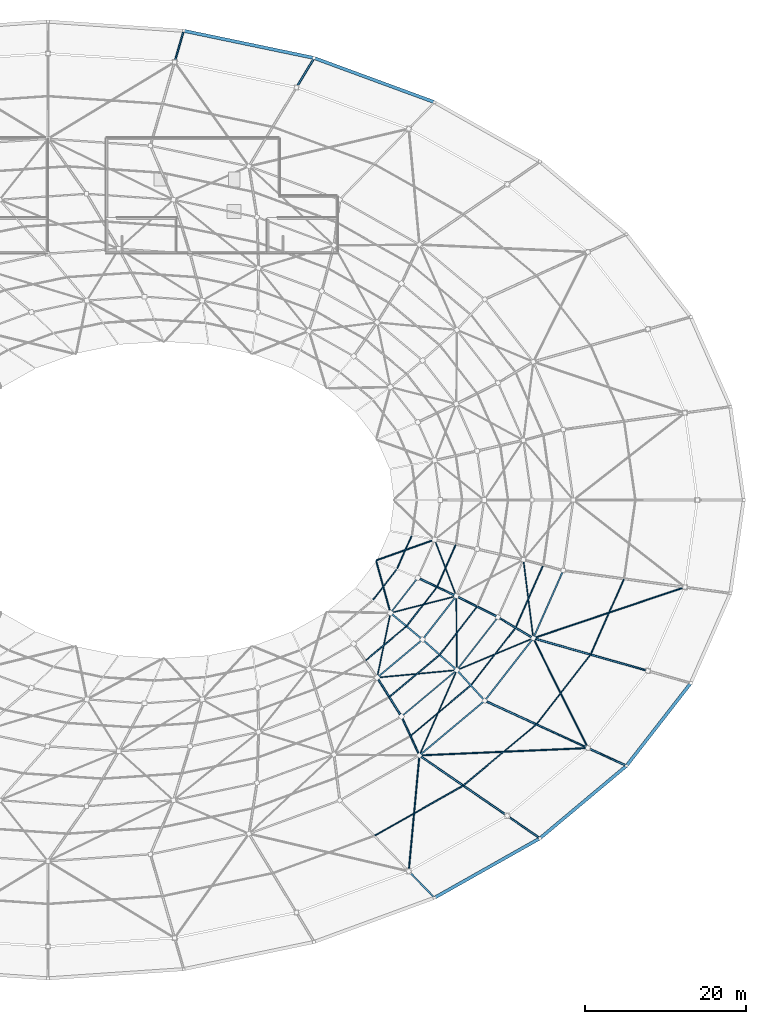
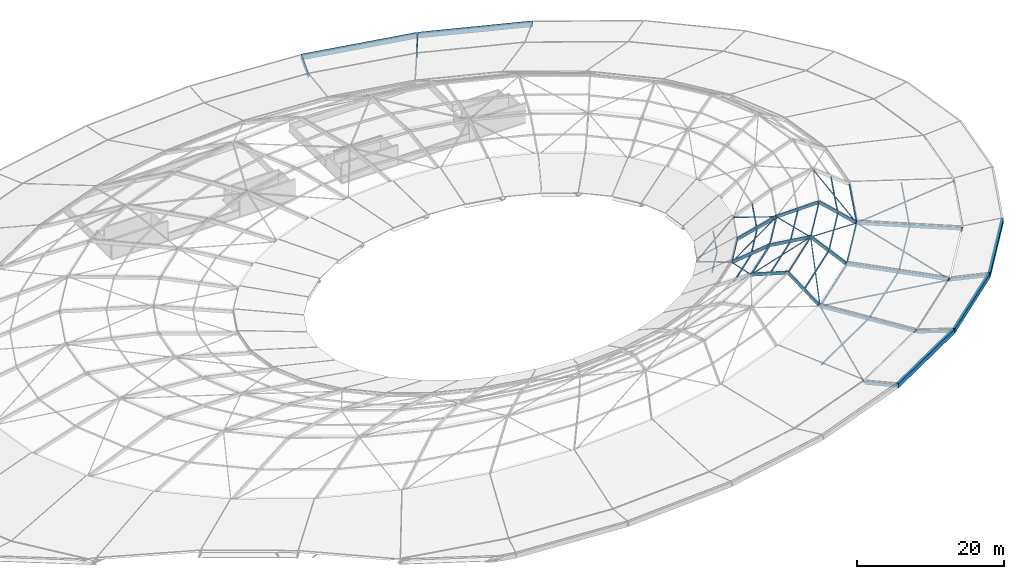
# One storey, part 9 of 30: 52 members, 5 beams.
"""IFC4 building model written with IfcOpenShell, lengths in metres."""

from ifc_helpers import new_model, si_unit, direction, frame, origin, origin_2d, place, context, subcontext, project, spatial, rectangle, hollow_rectangle, hollow_circle, extrude, material, material_profile, profile_set, type_object, element, save


model = new_model("IFC4")

# Units and contexts
model_context = context("Model", 3, precision=1e-05, world=origin(), true_north=direction((0.0, 1.0)))
body_context = subcontext(model_context, "Body", "Model", "MODEL_VIEW")
ifc_project = project(units=[si_unit("LENGTHUNIT", "METRE"), si_unit("AREAUNIT", "SQUARE_METRE"), si_unit("VOLUMEUNIT", "CUBIC_METRE"), si_unit("PLANEANGLEUNIT", "RADIAN"), si_unit("MASSUNIT", "GRAM", prefix="KILO")], contexts=[model_context])

# Site, building, storey
site_placement = place(None, origin())
site = spatial("IfcSite", under=ifc_project, at=site_placement, CompositionType="ELEMENT")
building_placement = place(site_placement, origin())
building = spatial("IfcBuilding", under=site, at=building_placement, Name="Namkhue Oval Health Centre", CompositionType="ELEMENT")
storey_placement = place(building_placement, frame((0.0, 0.0, 26.39990234375)))
storey = spatial("IfcBuildingStorey", under=building, at=storey_placement, Name="RF", CompositionType="ELEMENT", Elevation=26.39990234375)

# Beams
ifc_material_1 = material(Name="Precast architectural concrete C35/45 (TCVN B40)", Category="concrete")
ifc_material_profile_1 = material_profile(ifc_material_1, rectangle(XDim=0.39990234375, YDim=0.75, at=origin_2d()), Name="RC 400x750")
ifc_profile_set_1 = profile_set([ifc_material_profile_1], Name="Precast architectural concrete C35/45 (TCVN B40)")
beam_type = type_object("IfcBeamType", Name="CONCRETE EDGE BAND 400X750", PredefinedType="SPANDREL", material=ifc_profile_set_1)
beam_1_placement = place(storey_placement, frame((134.36376953125, 108.802978515625, 0.7001953125), z_axis=(-0.938627892991, 0.344931411297, 0.0), x_axis=(-0.344931411297, -0.938627892991, 0.0)))
element("IfcBeam", 1, at=beam_1_placement, inside=storey, type_object=beam_type, Name="Elliptical Roof Concrete Fascia Band 6", PredefinedType="SPANDREL", context=body_context, shape_type="SweptSolid", body=[
    extrude(rectangle(XDim=0.39990234375, YDim=0.75, at=origin_2d()), origin(), (0.0, 0.0, 1.0), 15.833984375),
])
beam_2_placement = place(storey_placement, frame((119.4248046875, 114.28662109375, 0.7001953125), z_axis=(-0.978939474123, 0.204150694352, 0.0), x_axis=(-0.204150694352, -0.978939474123, 0.0)))
element("IfcBeam", 2, at=beam_2_placement, inside=storey, type_object=beam_type, Name="Elliptical Roof Concrete Fascia Band 7", PredefinedType="SPANDREL", context=body_context, shape_type="SweptSolid", body=[
    extrude(rectangle(XDim=0.39990234375, YDim=0.75, at=origin_2d()), origin(), (0.0, 0.0, 1.0), 16.476806640625),
])
beam_3_placement = place(storey_placement, frame((134.43603515625, 10.030517578125, 0.7001953125), z_axis=(0.870942993464, 0.491384067849, 0.0), x_axis=(-0.491384067849, 0.870942993464, 0.0)))
element("IfcBeam", 3, at=beam_3_placement, inside=storey, type_object=beam_type, Name="Elliptical Roof Concrete Fascia Band 28", PredefinedType="SPANDREL", context=body_context, shape_type="SweptSolid", body=[
    extrude(rectangle(XDim=0.39990234375, YDim=0.75, at=origin_2d()), origin(), (0.0, 0.0, 1.0), 14.952880859375),
])
beam_4_placement = place(storey_placement, frame((147.524658203125, 17.423583984375, 0.7001953125), z_axis=(0.766570355171, 0.642160330893, 0.0), x_axis=(-0.642160330893, 0.766570355171, 0.0)))
element("IfcBeam", 4, at=beam_4_placement, inside=storey, type_object=beam_type, Name="Elliptical Roof Concrete Fascia Band 29", PredefinedType="SPANDREL", context=body_context, shape_type="SweptSolid", body=[
    extrude(rectangle(XDim=0.39990234375, YDim=0.75, at=origin_2d()), origin(), (0.0, 0.0, 1.0), 13.936767578125),
])
beam_5_placement = place(storey_placement, frame((158.263427734375, 26.4306640625, 0.7001953125), z_axis=(0.613787636636, 0.789471175606, 0.0), x_axis=(-0.789471175606, 0.613787636636, 0.0)))
element("IfcBeam", 5, at=beam_5_placement, inside=storey, type_object=beam_type, Name="Elliptical Roof Concrete Fascia Band 30", PredefinedType="SPANDREL", context=body_context, shape_type="SweptSolid", body=[
    extrude(rectangle(XDim=0.39990234375, YDim=0.75, at=origin_2d()), origin(), (0.0, 0.0, 1.0), 12.927978515625),
])

# Members
ifc_material_2 = material(Name="Structural steel EN 10025-2 S355JR (TCVN 5575:2024)", Category="steel")
ifc_material_profile_2 = material_profile(ifc_material_2, hollow_circle(Radius=0.084228515625, WallThickness=0.008056640625, at=origin_2d()), Name="CHS 168.3x8")
ifc_profile_set_2 = profile_set([ifc_material_profile_2], Name="Structural steel EN 10025-2 S355JR (TCVN 5575:2024)")
member_type_1 = type_object("IfcMemberType", Name="DIAGONAL BRACE CHS 168", PredefinedType="BRACE", material=ifc_profile_set_2)
member_1_placement = place(storey_placement, frame((132.53759765625, 27.714599609375, 3.78857421875), z_axis=(0.385744825263, 0.878452182924, 0.281997681017), x_axis=(-0.915612226063, 0.402062496989, 0.0)))
element("IfcMember", 6, at=member_1_placement, inside=storey, type_object=member_type_1, Name="Gridshell Diagonal Brace K2-29", PredefinedType="BRACE", context=body_context, shape_type="SweptSolid", body=[
    extrude(hollow_circle(Radius=0.084228515625, WallThickness=0.008056640625, at=origin_2d()), origin(), (0.0, 0.0, 1.0), 11.996826171875),
])
member_2_placement = place(storey_placement, frame((146.64013671875, 42.226806640625, 3.78955078125), z_axis=(-0.876260185773, -0.365520236855, 0.313947516758), x_axis=(0.384984945301, -0.922922852622, 0.0)))
element("IfcMember", 7, at=member_2_placement, inside=storey, type_object=member_type_1, Name="Gridshell Diagonal Brace K2-30", PredefinedType="BRACE", context=body_context, shape_type="SweptSolid", body=[
    extrude(hollow_circle(Radius=0.084228515625, WallThickness=0.008056640625, at=origin_2d()), origin(), (0.0, 0.0, 1.0), 10.76953125),
])
member_3_placement = place(storey_placement, frame((146.6630859375, 42.265869140625, 3.789794921875), z_axis=(-0.118630380465, 0.937515440045, 0.327095754341), x_axis=(-0.992089069562, -0.125535963196, 0.0)))
element("IfcMember", 8, at=member_3_placement, inside=storey, type_object=member_type_1, Name="Gridshell Diagonal Brace K2-31", PredefinedType="BRACE", context=body_context, shape_type="SweptSolid", body=[
    extrude(hollow_circle(Radius=0.084228515625, WallThickness=0.008056640625, at=origin_2d()), origin(), (0.0, 0.0, 1.0), 10.335205078125),
])
member_4_placement = place(storey_placement, frame((137.147705078125, 38.276611328125, 7.173583984375), z_axis=(-0.972118083366, -0.091348529782, -0.215967307941), x_axis=(0.093556405281, -0.995613980934, 0.0)))
element("IfcMember", 9, at=member_4_placement, inside=storey, type_object=member_type_1, Name="Gridshell Diagonal Brace K3-29", PredefinedType="BRACE", context=body_context, shape_type="SweptSolid", body=[
    extrude(hollow_circle(Radius=0.084228515625, WallThickness=0.008056640625, at=origin_2d()), origin(), (0.0, 0.0, 1.0), 10.126708984375),
])
member_5_placement = place(storey_placement, frame((137.1767578125, 38.30859375, 7.173095703125), z_axis=(-0.007386741526, 0.972474925743, -0.232890435291), x_axis=(-0.999971153031, -0.007595597835, 0.0)))
element("IfcMember", 10, at=member_5_placement, inside=storey, type_object=member_type_1, Name="Gridshell Diagonal Brace K3-30", PredefinedType="BRACE", context=body_context, shape_type="SweptSolid", body=[
    extrude(hollow_circle(Radius=0.084228515625, WallThickness=0.008056640625, at=origin_2d()), origin(), (0.0, 0.0, 1.0), 9.386474609375),
])
member_6_placement = place(storey_placement, frame((127.280029296875, 37.3759765625, 4.968505859375), z_axis=(0.186783614219, 0.904579025197, -0.383208387998), x_axis=(-0.979339963562, 0.202220759987, 0.0)))
element("IfcMember", 11, at=member_6_placement, inside=storey, type_object=member_type_1, Name="Gridshell Diagonal Brace K4-29", PredefinedType="BRACE", context=body_context, shape_type="SweptSolid", body=[
    extrude(hollow_circle(Radius=0.084228515625, WallThickness=0.008056640625, at=origin_2d()), origin(), (0.0, 0.0, 1.0), 8.812255859375),
])
member_7_placement = place(storey_placement, frame((137.080078125, 47.458984375, 4.968994140625), z_axis=(-0.89860956211, -0.229852364697, -0.373722818848), x_axis=(0.247808458308, -0.968809046196, 0.0)))
element("IfcMember", 12, at=member_7_placement, inside=storey, type_object=member_type_1, Name="Gridshell Diagonal Brace K4-30", PredefinedType="BRACE", context=body_context, shape_type="SweptSolid", body=[
    extrude(hollow_circle(Radius=0.084228515625, WallThickness=0.008056640625, at=origin_2d()), origin(), (0.0, 0.0, 1.0), 9.037841796875),
])
member_8_placement = place(storey_placement, frame((137.097412109375, 47.491455078125, 4.9677734375), z_axis=(-0.326688669329, 0.850363236448, -0.412500762944), x_axis=(-0.93348313734, -0.35862129371, 0.0)))
element("IfcMember", 13, at=member_8_placement, inside=storey, type_object=member_type_1, Name="Gridshell Diagonal Brace K4-31", PredefinedType="BRACE", context=body_context, shape_type="SweptSolid", body=[
    extrude(hollow_circle(Radius=0.084228515625, WallThickness=0.008056640625, at=origin_2d()), origin(), (0.0, 0.0, 1.0), 8.182373046875),
])
ifc_material_profile_3 = material_profile(ifc_material_2, hollow_circle(Radius=0.109619140625, WallThickness=0.010009765625, at=origin_2d()), Name="CHS 219.1x10")
ifc_profile_set_3 = profile_set([ifc_material_profile_3], Name="Structural steel EN 10025-2 S355JR (TCVN 5575:2024)")
member_type_2 = type_object("IfcMemberType", Name="DIAGONAL BRACE CHS 219", PredefinedType="BRACE", material=ifc_profile_set_3)
member_9_placement = place(storey_placement, frame((131.203857421875, 13.33251953125, 0.287109375), z_axis=(0.08912297815, 0.967785826017, 0.235473331241), x_axis=(-0.995786536094, 0.091701551431, 0.0)))
element("IfcMember", 14, at=member_9_placement, inside=storey, type_object=member_type_2, Name="Gridshell Diagonal Brace K1-28", PredefinedType="BRACE", context=body_context, shape_type="SweptSolid", body=[
    extrude(hollow_circle(Radius=0.109619140625, WallThickness=0.010009765625, at=origin_2d()), origin(), (0.0, 0.0, 1.0), 14.803466796875),
])
member_10_placement = place(storey_placement, frame((153.420166015625, 28.597900390625, 0.284912109375), z_axis=(-0.985387796484, -0.042892577935, 0.164836638216), x_axis=(0.043487447856, -0.999053973456, 0.0)))
element("IfcMember", 15, at=member_10_placement, inside=storey, type_object=member_type_2, Name="Gridshell Diagonal Brace K1-29", PredefinedType="BRACE", context=body_context, shape_type="SweptSolid", body=[
    extrude(hollow_circle(Radius=0.109619140625, WallThickness=0.010009765625, at=origin_2d()), origin(), (0.0, 0.0, 1.0), 21.173828125),
])
member_11_placement = place(storey_placement, frame((153.436767578125, 28.62548828125, 0.286865234375), z_axis=(-0.434016963234, 0.872628440892, 0.223939455594), x_axis=(-0.895368051566, -0.445326904908, 0.0)))
element("IfcMember", 16, at=member_11_placement, inside=storey, type_object=member_type_2, Name="Gridshell Diagonal Brace K1-30", PredefinedType="BRACE", context=body_context, shape_type="SweptSolid", body=[
    extrude(hollow_circle(Radius=0.109619140625, WallThickness=0.010009765625, at=origin_2d()), origin(), (0.0, 0.0, 1.0), 15.5693359375),
])
member_12_placement = place(storey_placement, frame((165.46240234375, 48.57470703125, 0.285400390625), z_axis=(-0.933221764626, -0.314626832227, 0.173513960452), x_axis=(0.319472784, -0.947595451806, 0.0)))
element("IfcMember", 17, at=member_12_placement, inside=storey, type_object=member_type_2, Name="Gridshell Diagonal Brace K1-31", PredefinedType="BRACE", context=body_context, shape_type="SweptSolid", body=[
    extrude(hollow_circle(Radius=0.109619140625, WallThickness=0.010009765625, at=origin_2d()), origin(), (0.0, 0.0, 1.0), 20.11083984375),
])
member_13_placement = place(storey_placement, frame((128.92431640625, 45.40087890625, 1.5673828125), z_axis=(-0.239180202301, 0.871743269985, -0.4276172378), x_axis=(-0.964360555724, -0.264591607129, 0.0)))
element("IfcMember", 18, at=member_13_placement, inside=storey, type_object=member_type_2, Name="Gridshell Diagonal Brace K5-30", PredefinedType="BRACE", context=body_context, shape_type="SweptSolid", body=[
    extrude(hollow_circle(Radius=0.109619140625, WallThickness=0.010009765625, at=origin_2d()), origin(), (0.0, 0.0, 1.0), 7.423828125),
])
member_14_placement = place(storey_placement, frame((134.38818359375, 54.4658203125, 1.568603515625), z_axis=(-0.870686999739, -0.308442525656, -0.383102279885), x_axis=(0.33391852969, -0.942601939065, 0.0)))
element("IfcMember", 19, at=member_14_placement, inside=storey, type_object=member_type_2, Name="Gridshell Diagonal Brace K5-31", PredefinedType="BRACE", context=body_context, shape_type="SweptSolid", body=[
    extrude(hollow_circle(Radius=0.109619140625, WallThickness=0.010009765625, at=origin_2d()), origin(), (0.0, 0.0, 1.0), 8.292724609375),
])
ifc_material_3 = material(Name="Glulam timber GL28h", Category="wood")
ifc_material_profile_4 = material_profile(ifc_material_3, rectangle(XDim=0.199951171875, YDim=0.47998046875, at=origin_2d()), Name="GL28h 200x480")
ifc_profile_set_4 = profile_set([ifc_material_profile_4], Name="Glulam timber GL28h")
member_type_3 = type_object("IfcMemberType", Name="GRIDSHELL ARCH RIB GL28H 200X480", PredefinedType="USERDEFINED", material=ifc_profile_set_4)
member_15_placement = place(storey_placement, frame((143.421142578125, 20.197998046875, 0.300048828125), z_axis=(-0.796604199266, 0.547664271353, 0.25590153496), x_axis=(-0.566528039222, -0.824042462969, 0.0)))
element("IfcMember", 20, at=member_15_placement, inside=storey, type_object=member_type_3, Name="Gridshell Glulam Arch Rib K1-29", ObjectType="ARCH_SEGMENT", PredefinedType="USERDEFINED", context=body_context, shape_type="SweptSolid", body=[
    extrude(rectangle(XDim=0.199951171875, YDim=0.47998046875, at=origin_2d()), origin(), (0.0, 0.0, 1.0), 13.67724609375),
])
member_16_placement = place(storey_placement, frame((132.52587890625, 27.6884765625, 3.800048828125), z_axis=(-0.352584760622, 0.765197115417, 0.538662567045), x_axis=(-0.908222554192, -0.418487505258, 0.0)))
element("IfcMember", 21, at=member_16_placement, inside=storey, type_object=member_type_3, Name="Gridshell Glulam Arch Rib K2-29", ObjectType="ARCH_SEGMENT", PredefinedType="USERDEFINED", context=body_context, shape_type="SweptSolid", body=[
    extrude(rectangle(XDim=0.199951171875, YDim=0.47998046875, at=origin_2d()), origin(), (0.0, 0.0, 1.0), 6.312255859375),
])
member_17_placement = place(storey_placement, frame((130.30029296875, 32.5185546875, 7.2001953125), z_axis=(-0.495255648751, 0.790594885471, -0.360113273079), x_axis=(-0.847451612096, -0.530872644949, 0.0)))
element("IfcMember", 22, at=member_17_placement, inside=storey, type_object=member_type_3, Name="Gridshell Glulam Arch Rib K3-29", ObjectType="ARCH_SEGMENT", PredefinedType="USERDEFINED", context=body_context, shape_type="SweptSolid", body=[
    extrude(rectangle(XDim=0.199951171875, YDim=0.47998046875, at=origin_2d()), origin(), (0.0, 0.0, 1.0), 6.109619140625),
])
member_18_placement = place(storey_placement, frame((153.44970703125, 28.59912109375, 0.300048828125), z_axis=(-0.881933301609, 0.405143099926, 0.240941320855), x_axis=(-0.41744104465, -0.908704008048, 0.0)))
element("IfcMember", 23, at=member_18_placement, inside=storey, type_object=member_type_3, Name="Gridshell Glulam Arch Rib K1-30", ObjectType="ARCH_SEGMENT", PredefinedType="USERDEFINED", context=body_context, shape_type="SweptSolid", body=[
    extrude(rectangle(XDim=0.199951171875, YDim=0.47998046875, at=origin_2d()), origin(), (0.0, 0.0, 1.0), 14.5263671875),
])
member_19_placement = place(storey_placement, frame((140.638427734375, 34.484375, 3.800048828125), z_axis=(-0.561918661707, 0.616097164355, 0.551970743517), x_axis=(-0.738846563421, -0.67387369419, 0.0)))
element("IfcMember", 24, at=member_19_placement, inside=storey, type_object=member_type_3, Name="Gridshell Glulam Arch Rib K2-30", ObjectType="ARCH_SEGMENT", PredefinedType="USERDEFINED", context=body_context, shape_type="SweptSolid", body=[
    extrude(rectangle(XDim=0.199951171875, YDim=0.47998046875, at=origin_2d()), origin(), (0.0, 0.0, 1.0), 6.159912109375),
])
member_20_placement = place(storey_placement, frame((137.177001953125, 38.279541015625, 7.2001953125), z_axis=(-0.696802720013, 0.620515696355, -0.359758585664), x_axis=(-0.665043396106, -0.746804714297, 0.0)))
element("IfcMember", 25, at=member_20_placement, inside=storey, type_object=member_type_3, Name="Gridshell Glulam Arch Rib K3-30", ObjectType="ARCH_SEGMENT", PredefinedType="USERDEFINED", context=body_context, shape_type="SweptSolid", body=[
    extrude(rectangle(XDim=0.199951171875, YDim=0.47998046875, at=origin_2d()), origin(), (0.0, 0.0, 1.0), 6.11572265625),
])
member_21_placement = place(storey_placement, frame((132.91552734375, 42.074462890625, 5.0), z_axis=(-0.643559192771, 0.533091653921, -0.549222044278), x_axis=(-0.637916322082, -0.770105684969, 0.0)))
element("IfcMember", 26, at=member_21_placement, inside=storey, type_object=member_type_3, Name="Gridshell Glulam Arch Rib K4-30", ObjectType="ARCH_SEGMENT", PredefinedType="USERDEFINED", context=body_context, shape_type="SweptSolid", body=[
    extrude(rectangle(XDim=0.199951171875, YDim=0.47998046875, at=origin_2d()), origin(), (0.0, 0.0, 1.0), 6.1904296875),
])
member_22_placement = place(storey_placement, frame((160.901611328125, 38.18408203125, 0.300048828125), z_axis=(-0.935951519575, 0.26652955959, 0.230123329697), x_axis=(-0.273880097908, -0.961763844179, 0.0)))
element("IfcMember", 27, at=member_22_placement, inside=storey, type_object=member_type_3, Name="Gridshell Glulam Arch Rib K1-31", ObjectType="ARCH_SEGMENT", PredefinedType="USERDEFINED", context=body_context, shape_type="SweptSolid", body=[
    extrude(rectangle(XDim=0.199951171875, YDim=0.47998046875, at=origin_2d()), origin(), (0.0, 0.0, 1.0), 15.209228515625),
])
member_23_placement = place(storey_placement, frame((146.66650390625, 42.23779296875, 3.800048828125), z_axis=(-0.714475041443, 0.426438723939, 0.554684982562), x_axis=(-0.512509314458, -0.858681665458, 0.0)))
element("IfcMember", 28, at=member_23_placement, inside=storey, type_object=member_type_3, Name="Gridshell Glulam Arch Rib K2-31", ObjectType="ARCH_SEGMENT", PredefinedType="USERDEFINED", context=body_context, shape_type="SweptSolid", body=[
    extrude(rectangle(XDim=0.199951171875, YDim=0.47998046875, at=origin_2d()), origin(), (0.0, 0.0, 1.0), 6.1298828125),
])
member_24_placement = place(storey_placement, frame((142.286865234375, 44.851806640625, 7.2001953125), z_axis=(-0.83473489844, 0.421301908583, -0.354573477788), x_axis=(-0.450576709121, -0.892737715792, 0.0)))
element("IfcMember", 29, at=member_24_placement, inside=storey, type_object=member_type_3, Name="Gridshell Glulam Arch Rib K3-31", ObjectType="ARCH_SEGMENT", PredefinedType="USERDEFINED", context=body_context, shape_type="SweptSolid", body=[
    extrude(rectangle(XDim=0.199951171875, YDim=0.47998046875, at=origin_2d()), origin(), (0.0, 0.0, 1.0), 6.205078125),
])
member_25_placement = place(storey_placement, frame((137.107177734375, 47.466064453125, 5.0), z_axis=(-0.759979897278, 0.361250399406, -0.540304270446), x_axis=(-0.429308850188, -0.903157744334, 0.0)))
element("IfcMember", 30, at=member_25_placement, inside=storey, type_object=member_type_3, Name="Gridshell Glulam Arch Rib K4-31", ObjectType="ARCH_SEGMENT", PredefinedType="USERDEFINED", context=body_context, shape_type="SweptSolid", body=[
    extrude(rectangle(XDim=0.199951171875, YDim=0.47998046875, at=origin_2d()), origin(), (0.0, 0.0, 1.0), 6.29248046875),
])
ifc_material_profile_5 = material_profile(ifc_material_3, rectangle(XDim=0.199951171875, YDim=0.47998046875, at=origin_2d()), Name="GL28h 200x480")
ifc_profile_set_5 = profile_set([ifc_material_profile_5], Name="Glulam timber GL28h")
member_type_4 = type_object("IfcMemberType", Name="GRIDSHELL CANTILEVER RIB GL28H 200X480", PredefinedType="USERDEFINED", material=ifc_profile_set_5)
member_26_placement = place(storey_placement, frame((119.4638671875, 114.278564453125, 0.7001953125), z_axis=(-0.513817025595, -0.852814480626, -0.093271248749), x_axis=(0.856548401679, -0.516066696834, 0.0)))
element("IfcMember", 31, at=member_26_placement, inside=storey, type_object=member_type_4, Name="Gridshell Glulam Arch Rib K0-7", ObjectType="ARCH_SEGMENT", PredefinedType="USERDEFINED", context=body_context, shape_type="SweptSolid", body=[
    extrude(rectangle(XDim=0.199951171875, YDim=0.47998046875, at=origin_2d()), origin(), (0.0, 0.0, 1.0), 4.2900390625),
])
member_27_placement = place(storey_placement, frame((103.255859375, 117.65869140625, 0.7001953125), z_axis=(-0.27658233831, -0.955930571405, -0.098483261458), x_axis=(0.960600330565, -0.27793345412, 0.0)))
element("IfcMember", 32, at=member_27_placement, inside=storey, type_object=member_type_4, Name="Gridshell Glulam Arch Rib K0-8", ObjectType="ARCH_SEGMENT", PredefinedType="USERDEFINED", context=body_context, shape_type="SweptSolid", body=[
    extrude(rectangle(XDim=0.199951171875, YDim=0.47998046875, at=origin_2d()), origin(), (0.0, 0.0, 1.0), 4.06298828125),
])
member_28_placement = place(storey_placement, frame((134.4013671875, 10.0107421875, 0.7001953125), z_axis=(-0.694353900231, 0.714377227534, -0.086820723412), x_axis=(-0.717084975019, -0.69698575208, 0.0)))
element("IfcMember", 33, at=member_28_placement, inside=storey, type_object=member_type_4, Name="Gridshell Glulam Arch Rib K0-28", ObjectType="ARCH_SEGMENT", PredefinedType="USERDEFINED", context=body_context, shape_type="SweptSolid", body=[
    extrude(rectangle(XDim=0.199951171875, YDim=0.47998046875, at=origin_2d()), origin(), (0.0, 0.0, 1.0), 4.60888671875),
])
member_29_placement = place(storey_placement, frame((147.494140625, 17.39794921875, 0.7001953125), z_axis=(-0.821367573853, 0.564662513009, -0.08069420689), x_axis=(-0.566509955726, -0.824054895054, 0.0)))
element("IfcMember", 34, at=member_29_placement, inside=storey, type_object=member_type_4, Name="Gridshell Glulam Arch Rib K0-29", ObjectType="ARCH_SEGMENT", PredefinedType="USERDEFINED", context=body_context, shape_type="SweptSolid", body=[
    extrude(rectangle(XDim=0.199951171875, YDim=0.47998046875, at=origin_2d()), origin(), (0.0, 0.0, 1.0), 4.958740234375),
])
member_30_placement = place(storey_placement, frame((158.239013671875, 26.399169921875, 0.7001953125), z_axis=(-0.906107986713, 0.4162175189, -0.075705306123), x_axis=(-0.417415402789, -0.908715786984, 0.0)))
element("IfcMember", 35, at=member_30_placement, inside=storey, type_object=member_type_4, Name="Gridshell Glulam Arch Rib K0-30", ObjectType="ARCH_SEGMENT", PredefinedType="USERDEFINED", context=body_context, shape_type="SweptSolid", body=[
    extrude(rectangle(XDim=0.199951171875, YDim=0.47998046875, at=origin_2d()), origin(), (0.0, 0.0, 1.0), 5.28564453125),
])
ifc_material_profile_6 = material_profile(ifc_material_2, hollow_rectangle(XDim=0.14990234375, YDim=0.25, WallThickness=0.008056640625, at=origin_2d()), Name="RHS 150x250x8")
ifc_profile_set_6 = profile_set([ifc_material_profile_6], Name="Structural steel EN 10025-2 S355JR (TCVN 5575:2024)")
member_type_5 = type_object("IfcMemberType", Name="GRIDSHELL HOOP PURLIN RHS 150X250", PredefinedType="PURLIN", material=ifc_profile_set_6)
member_31_placement = place(storey_placement, frame((130.34619140625, 32.55712890625, 7.157470703125), z_axis=(0.766565985692, 0.642165546864, 0.0), x_axis=(-0.642165546864, 0.766565985692, 0.0)))
element("IfcMember", 36, at=member_31_placement, inside=storey, type_object=member_type_5, Name="Gridshell Hoop Purlin K3-29", PredefinedType="PURLIN", context=body_context, shape_type="SweptSolid", body=[
    extrude(hollow_rectangle(XDim=0.14990234375, YDim=0.25, WallThickness=0.008056640625, at=origin_2d()), origin(), (0.0, 0.0, 1.0), 8.85107421875),
])
member_32_placement = place(storey_placement, frame((137.2138671875, 38.326904296875, 7.156005859375), z_axis=(0.613792283962, 0.789467562443, 0.0), x_axis=(-0.789467562443, 0.613792283962, 0.0)))
element("IfcMember", 37, at=member_32_placement, inside=storey, type_object=member_type_5, Name="Gridshell Hoop Purlin K3-30", PredefinedType="PURLIN", context=body_context, shape_type="SweptSolid", body=[
    extrude(hollow_rectangle(XDim=0.14990234375, YDim=0.25, WallThickness=0.008056640625, at=origin_2d()), origin(), (0.0, 0.0, 1.0), 8.204833984375),
])
member_33_placement = place(storey_placement, frame((128.968505859375, 45.422119140625, 1.556884765625), z_axis=(0.613784343626, 0.789473735801, 0.0), x_axis=(-0.789473735801, 0.613784343626, 0.0)))
element("IfcMember", 38, at=member_33_placement, inside=storey, type_object=member_type_5, Name="Gridshell Hoop Purlin K5-30", PredefinedType="PURLIN", context=body_context, shape_type="SweptSolid", body=[
    extrude(hollow_rectangle(XDim=0.14990234375, YDim=0.25, WallThickness=0.008056640625, at=origin_2d()), origin(), (0.0, 0.0, 1.0), 5.408447265625),
])
ifc_material_profile_7 = material_profile(ifc_material_2, hollow_rectangle(XDim=0.179931640625, YDim=0.300048828125, WallThickness=0.010009765625, at=origin_2d()), Name="RHS 180x300x10")
ifc_profile_set_7 = profile_set([ifc_material_profile_7], Name="Structural steel EN 10025-2 S355JR (TCVN 5575:2024)")
member_type_6 = type_object("IfcMemberType", Name="GRIDSHELL HOOP PURLIN RHS 180X300", PredefinedType="PURLIN", material=ifc_profile_set_7)
member_34_placement = place(storey_placement, frame((132.572021484375, 27.726806640625, 3.7265625), z_axis=(0.766552767574, 0.642181325269, 0.0), x_axis=(-0.642181325269, 0.766552767574, 0.0)))
element("IfcMember", 39, at=member_34_placement, inside=storey, type_object=member_type_6, Name="Gridshell Hoop Purlin K2-29", PredefinedType="PURLIN", context=body_context, shape_type="SweptSolid", body=[
    extrude(hollow_rectangle(XDim=0.179931640625, YDim=0.300048828125, WallThickness=0.010009765625, at=origin_2d()), origin(), (0.0, 0.0, 1.0), 10.462646484375),
])
member_35_placement = place(storey_placement, frame((140.67529296875, 34.53173828125, 3.72509765625), z_axis=(0.613785537369, 0.789472807712, 0.0), x_axis=(-0.789472807712, 0.613785537369, 0.0)))
element("IfcMember", 40, at=member_35_placement, inside=storey, type_object=member_type_6, Name="Gridshell Hoop Purlin K2-30", PredefinedType="PURLIN", context=body_context, shape_type="SweptSolid", body=[
    extrude(hollow_rectangle(XDim=0.179931640625, YDim=0.300048828125, WallThickness=0.010009765625, at=origin_2d()), origin(), (0.0, 0.0, 1.0), 9.700927734375),
])
member_36_placement = place(storey_placement, frame((146.690673828125, 42.292724609375, 3.72509765625), z_axis=(0.403698487315, 0.914892087265, 0.0), x_axis=(-0.914892087265, 0.403698487315, 0.0)))
element("IfcMember", 41, at=member_36_placement, inside=storey, type_object=member_type_6, Name="Gridshell Hoop Purlin K2-31", PredefinedType="PURLIN", context=body_context, shape_type="SweptSolid", body=[
    extrude(hollow_rectangle(XDim=0.179931640625, YDim=0.300048828125, WallThickness=0.010009765625, at=origin_2d()), origin(), (0.0, 0.0, 1.0), 9.07568359375),
])
member_37_placement = place(storey_placement, frame((127.3203125, 37.387451171875, 4.91259765625), z_axis=(0.766573876706, 0.642156127084, 0.0), x_axis=(-0.642156127084, 0.766573876706, 0.0)))
element("IfcMember", 42, at=member_37_placement, inside=storey, type_object=member_type_6, Name="Gridshell Hoop Purlin K4-29", PredefinedType="PURLIN", context=body_context, shape_type="SweptSolid", body=[
    extrude(hollow_rectangle(XDim=0.179931640625, YDim=0.300048828125, WallThickness=0.010009765625, at=origin_2d()), origin(), (0.0, 0.0, 1.0), 7.23876953125),
])
member_38_placement = place(storey_placement, frame((132.952392578125, 42.121826171875, 4.912109375), z_axis=(0.613766773013, 0.789487395938, 0.0), x_axis=(-0.789487395938, 0.613766773013, 0.0)))
element("IfcMember", 43, at=member_38_placement, inside=storey, type_object=member_type_6, Name="Gridshell Hoop Purlin K4-30", PredefinedType="PURLIN", context=body_context, shape_type="SweptSolid", body=[
    extrude(hollow_rectangle(XDim=0.179931640625, YDim=0.300048828125, WallThickness=0.010009765625, at=origin_2d()), origin(), (0.0, 0.0, 1.0), 6.709228515625),
])
ifc_material_profile_8 = material_profile(ifc_material_3, rectangle(XDim=0.139892578125, YDim=0.280029296875, at=origin_2d()), Name="GL28h 140x280")
ifc_profile_set_8 = profile_set([ifc_material_profile_8], Name="Glulam timber GL28h")
member_type_7 = type_object("IfcMemberType", Name="GRIDSHELL SUB PURLIN GL28H 140X280", PredefinedType="PURLIN", material=ifc_profile_set_8)
member_39_placement = place(storey_placement, frame((126.99072265625, 17.74658203125, 2.050048828125), z_axis=(0.870939982728, 0.491389404125, 0.0), x_axis=(-0.491389404125, 0.870939982728, 0.0)))
element("IfcMember", 44, at=member_39_placement, inside=storey, type_object=member_type_7, Name="Gridshell Secondary Purlin K1-28", PredefinedType="PURLIN", context=body_context, shape_type="SweptSolid", body=[
    extrude(rectangle(XDim=0.139892578125, YDim=0.280029296875, at=origin_2d()), origin(), (0.0, 0.0, 1.0), 12.5302734375),
])
member_40_placement = place(storey_placement, frame((138.034912109375, 23.99462890625, 2.050048828125), z_axis=(0.766559160307, 0.642173694377, 0.0), x_axis=(-0.642173694377, 0.766559160307, 0.0)))
element("IfcMember", 45, at=member_40_placement, inside=storey, type_object=member_type_7, Name="Gridshell Secondary Purlin K1-29", PredefinedType="PURLIN", context=body_context, shape_type="SweptSolid", body=[
    extrude(rectangle(XDim=0.139892578125, YDim=0.280029296875, at=origin_2d()), origin(), (0.0, 0.0, 1.0), 11.672607421875),
])
member_41_placement = place(storey_placement, frame((147.09326171875, 31.60498046875, 2.050048828125), z_axis=(0.613796901297, 0.789463972552, 0.0), x_axis=(-0.789463972552, 0.613796901297, 0.0)))
element("IfcMember", 46, at=member_41_placement, inside=storey, type_object=member_type_7, Name="Gridshell Secondary Purlin K1-30", PredefinedType="PURLIN", context=body_context, shape_type="SweptSolid", body=[
    extrude(rectangle(XDim=0.139892578125, YDim=0.280029296875, at=origin_2d()), origin(), (0.0, 0.0, 1.0), 10.82080078125),
])
member_42_placement = place(storey_placement, frame((153.81640625, 40.2841796875, 2.050048828125), z_axis=(0.403693059538, 0.914894482266, 0.0), x_axis=(-0.914894482266, 0.403693059538, 0.0)))
element("IfcMember", 47, at=member_42_placement, inside=storey, type_object=member_type_7, Name="Gridshell Secondary Purlin K1-31", PredefinedType="PURLIN", context=body_context, shape_type="SweptSolid", body=[
    extrude(rectangle(XDim=0.139892578125, YDim=0.280029296875, at=origin_2d()), origin(), (0.0, 0.0, 1.0), 10.121337890625),
])
member_43_placement = place(storey_placement, frame((131.474365234375, 30.15478515625, 5.44775390625), z_axis=(0.766562361369, 0.642169873268, 0.0), x_axis=(-0.642169873268, 0.766562361369, 0.0)))
element("IfcMember", 48, at=member_43_placement, inside=storey, type_object=member_type_7, Name="Gridshell Secondary Purlin K2-29", PredefinedType="PURLIN", context=body_context, shape_type="SweptSolid", body=[
    extrude(rectangle(XDim=0.139892578125, YDim=0.280029296875, at=origin_2d()), origin(), (0.0, 0.0, 1.0), 9.616943359375),
])
member_44_placement = place(storey_placement, frame((138.956787109375, 36.445068359375, 5.4462890625), z_axis=(0.613785103083, 0.789473145353, 0.0), x_axis=(-0.789473145353, 0.613785103083, 0.0)))
element("IfcMember", 49, at=member_44_placement, inside=storey, type_object=member_type_7, Name="Gridshell Secondary Purlin K2-30", PredefinedType="PURLIN", context=body_context, shape_type="SweptSolid", body=[
    extrude(rectangle(XDim=0.139892578125, YDim=0.280029296875, at=origin_2d()), origin(), (0.0, 0.0, 1.0), 8.9130859375),
])
member_45_placement = place(storey_placement, frame((144.509033203125, 43.617919921875, 5.4462890625), z_axis=(0.403674819817, 0.914902530243, 0.0), x_axis=(-0.914902530243, 0.403674819817, 0.0)))
element("IfcMember", 50, at=member_45_placement, inside=storey, type_object=member_type_7, Name="Gridshell Secondary Purlin K2-31", PredefinedType="PURLIN", context=body_context, shape_type="SweptSolid", body=[
    extrude(rectangle(XDim=0.139892578125, YDim=0.280029296875, at=origin_2d()), origin(), (0.0, 0.0, 1.0), 8.335205078125),
])
member_46_placement = place(storey_placement, frame((128.8486328125, 34.985107421875, 5.92041015625), z_axis=(0.76656876735, 0.642162226329, 0.0), x_axis=(-0.642162226329, 0.76656876735, 0.0)))
element("IfcMember", 51, at=member_46_placement, inside=storey, type_object=member_type_7, Name="Gridshell Secondary Purlin K3-29", PredefinedType="PURLIN", context=body_context, shape_type="SweptSolid", body=[
    extrude(rectangle(XDim=0.139892578125, YDim=0.280029296875, at=origin_2d()), origin(), (0.0, 0.0, 1.0), 8.0048828125),
])
member_47_placement = place(storey_placement, frame((135.09521484375, 40.239990234375, 5.9306640625), z_axis=(0.613797043762, 0.789463861788, 0.0), x_axis=(-0.789463861788, 0.613797043762, 0.0)))
element("IfcMember", 52, at=member_47_placement, inside=storey, type_object=member_type_7, Name="Gridshell Secondary Purlin K3-30", PredefinedType="PURLIN", context=body_context, shape_type="SweptSolid", body=[
    extrude(rectangle(XDim=0.139892578125, YDim=0.280029296875, at=origin_2d()), origin(), (0.0, 0.0, 1.0), 7.417236328125),
])
member_48_placement = place(storey_placement, frame((125.881103515625, 39.50048828125, 3.010986328125), z_axis=(0.766583463161, 0.64214468308, 0.0), x_axis=(-0.64214468308, 0.766583463161, 0.0)))
element("IfcMember", 53, at=member_48_placement, inside=storey, type_object=member_type_7, Name="Gridshell Secondary Purlin K4-29", PredefinedType="PURLIN", context=body_context, shape_type="SweptSolid", body=[
    extrude(rectangle(XDim=0.139892578125, YDim=0.280029296875, at=origin_2d()), origin(), (0.0, 0.0, 1.0), 6.497802734375),
])
member_49_placement = place(storey_placement, frame((130.97265625, 43.78759765625, 3.022705078125), z_axis=(0.613791769424, 0.789467962483, 0.0), x_axis=(-0.789467962483, 0.613791769424, 0.0)))
element("IfcMember", 54, at=member_49_placement, inside=storey, type_object=member_type_7, Name="Gridshell Secondary Purlin K4-30", PredefinedType="PURLIN", context=body_context, shape_type="SweptSolid", body=[
    extrude(rectangle(XDim=0.139892578125, YDim=0.280029296875, at=origin_2d()), origin(), (0.0, 0.0, 1.0), 6.018798828125),
])
member_50_placement = place(storey_placement, frame((134.748291015625, 48.67578125, 3.2353515625), z_axis=(0.403676536477, 0.914901772814, 0.0), x_axis=(-0.914901772814, 0.403676536477, 0.0)))
element("IfcMember", 55, at=member_50_placement, inside=storey, type_object=member_type_7, Name="Gridshell Secondary Purlin K4-31", PredefinedType="PURLIN", context=body_context, shape_type="SweptSolid", body=[
    extrude(rectangle(XDim=0.139892578125, YDim=0.280029296875, at=origin_2d()), origin(), (0.0, 0.0, 1.0), 5.625244140625),
])
member_51_placement = place(storey_placement, frame((126.768310546875, 47.00537109375, -0.214111328125), z_axis=(0.61379828175, 0.789462899268, 0.0), x_axis=(-0.789462899268, 0.61379828175, 0.0)))
element("IfcMember", 56, at=member_51_placement, inside=storey, type_object=member_type_7, Name="Gridshell Secondary Purlin K5-30", PredefinedType="PURLIN", context=body_context, shape_type="SweptSolid", body=[
    extrude(rectangle(XDim=0.139892578125, YDim=0.280029296875, at=origin_2d()), origin(), (0.0, 0.0, 1.0), 4.75048828125),
])
member_52_placement = place(storey_placement, frame((129.765380859375, 50.89208984375, -0.05322265625), z_axis=(0.403697092719, 0.914892702633, 0.0), x_axis=(-0.914892702633, 0.403697092719, 0.0)))
element("IfcMember", 57, at=member_52_placement, inside=storey, type_object=member_type_7, Name="Gridshell Secondary Purlin K5-31", PredefinedType="PURLIN", context=body_context, shape_type="SweptSolid", body=[
    extrude(rectangle(XDim=0.139892578125, YDim=0.280029296875, at=origin_2d()), origin(), (0.0, 0.0, 1.0), 4.437744140625),
])

save(model, "model.ifc")
